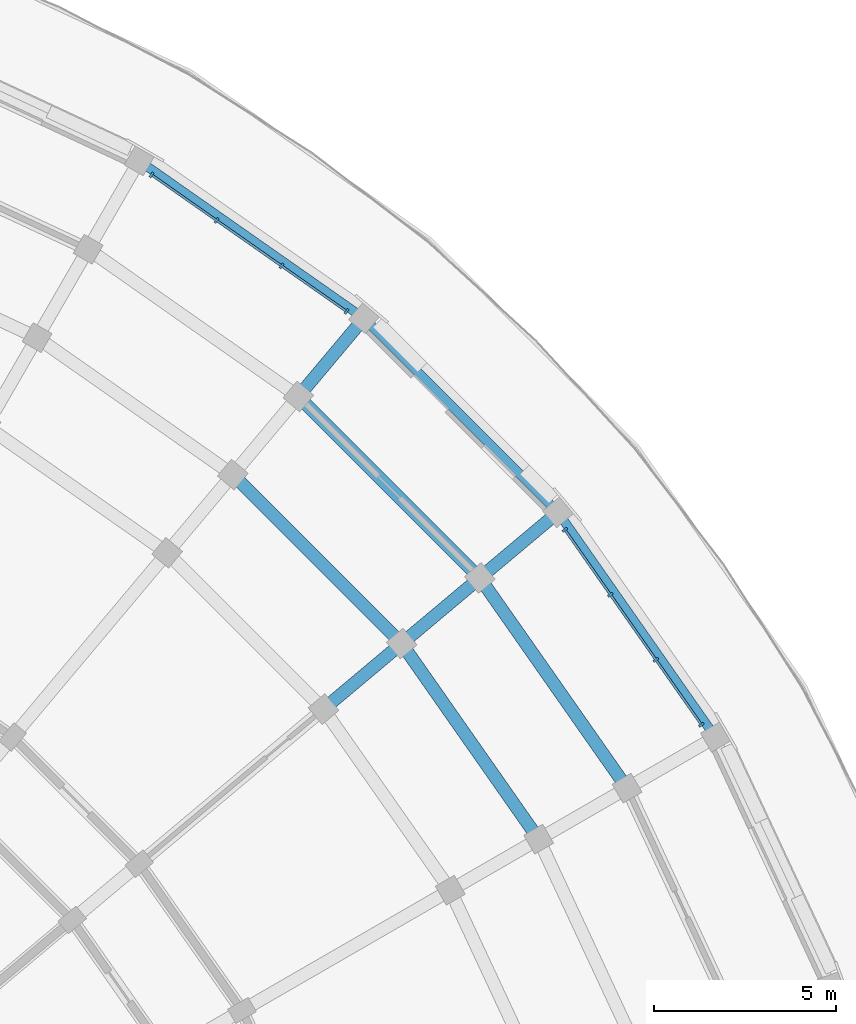
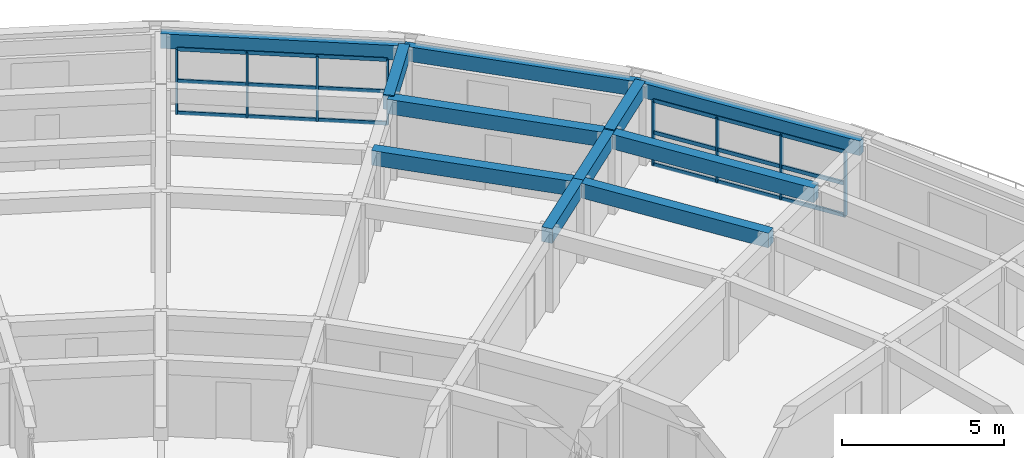
# One storey, part 11 of 53: 14 members, 11 beams, 2 elements without a shape of their own.
"""IFC4 building model written with IfcOpenShell, lengths in metres."""

from ifc_helpers import new_model, si_unit, direction, frame, origin, origin_2d, place, context, subcontext, project, spatial, rectangle, extrude, material, material_profile, profile_set, type_object, element, aggregate, save


model = new_model("IFC4")

# Units and contexts
model_context = context("Model", 3, precision=1e-05, world=origin(), true_north=direction((0.0, 1.0)))
body_context = subcontext(model_context, "Body", "Model", "MODEL_VIEW")
ifc_project = project(units=[si_unit("LENGTHUNIT", "METRE"), si_unit("AREAUNIT", "SQUARE_METRE"), si_unit("VOLUMEUNIT", "CUBIC_METRE"), si_unit("PLANEANGLEUNIT", "RADIAN"), si_unit("MASSUNIT", "GRAM", prefix="KILO")], contexts=[model_context])

# Site, building, storey
site_placement = place(None, origin())
site = spatial("IfcSite", under=ifc_project, at=site_placement, CompositionType="ELEMENT")
building_placement = place(site_placement, origin())
building = spatial("IfcBuilding", under=site, at=building_placement, Name="Kiranvali Square Residences", CompositionType="ELEMENT")
storey_placement = place(building_placement, frame((0.0, 0.0, 30.75)))
storey = spatial("IfcBuildingStorey", under=building, at=storey_placement, Name="L09", CompositionType="ELEMENT", Elevation=30.75)

# Beams
ifc_material_1 = material(Name="Concrete M40 (40 MPa)", Category="concrete")
ifc_material_profile_1 = material_profile(ifc_material_1, rectangle(XDim=0.35009765625, YDim=0.550048828125, at=origin_2d()), Name="RC 350x550")
ifc_profile_set_1 = profile_set([ifc_material_profile_1], Name="Concrete M40 (40 MPa)")
beam_type_1 = type_object("IfcBeamType", Name="BM-M40-350x550", PredefinedType="BEAM", material=ifc_profile_set_1)
beam_1_placement = place(storey_placement, frame((143.96875, 116.603271484375, 2.655029296875), z_axis=(0.707106781187, -0.707106781187, 0.0), x_axis=(0.707106781187, 0.707106781187, 0.0)))
element("IfcBeam", 1, at=beam_1_placement, inside=storey, type_object=beam_type_1, Name="L09 beam BM-B-L09-C04-R4", PredefinedType="BEAM", context=body_context, shape_type="SweptSolid", body=[
    extrude(rectangle(XDim=0.35009765625, YDim=0.550048828125, at=origin_2d()), origin(), (0.0, 0.0, 1.0), 6.55419921875),
])
beam_2_placement = place(storey_placement, frame((145.7685546875, 118.748291015625, 2.655029296875), z_axis=(0.707106781187, -0.707106781187, 0.0), x_axis=(0.707106781187, 0.707106781187, 0.0)))
element("IfcBeam", 2, at=beam_2_placement, inside=storey, type_object=beam_type_1, Name="L09 beam BM-B-L09-C04-R5", PredefinedType="BEAM", context=body_context, shape_type="SweptSolid", body=[
    extrude(rectangle(XDim=0.35009765625, YDim=0.550048828125, at=origin_2d()), origin(), (0.0, 0.0, 1.0), 7.04248046875),
])
beam_3_placement = place(storey_placement, frame((148.603271484375, 111.96875, 2.655029296875), z_axis=(0.573587340268, -0.819144409176, 0.0), x_axis=(0.819144409176, 0.573587340268, 0.0)))
element("IfcBeam", 3, at=beam_3_placement, inside=storey, type_object=beam_type_1, Name="L09 beam BM-B-L09-C05-R4", PredefinedType="BEAM", context=body_context, shape_type="SweptSolid", body=[
    extrude(rectangle(XDim=0.35009765625, YDim=0.550048828125, at=origin_2d()), origin(), (0.0, 0.0, 1.0), 6.553955078125),
])
beam_4_placement = place(storey_placement, frame((150.748291015625, 113.7685546875, 2.655029296875), z_axis=(0.57356471828, -0.819160249246, 0.0), x_axis=(0.819160249246, 0.57356471828, 0.0)))
element("IfcBeam", 4, at=beam_4_placement, inside=storey, type_object=beam_type_1, Name="L09 beam BM-B-L09-C05-R5", PredefinedType="BEAM", context=body_context, shape_type="SweptSolid", body=[
    extrude(rectangle(XDim=0.35009765625, YDim=0.550048828125, at=origin_2d()), origin(), (0.0, 0.0, 1.0), 7.0419921875),
])
beam_5_placement = place(storey_placement, frame((145.7685546875, 118.748291015625, 2.695068359375), z_axis=(0.642813692253, 0.76602255649, 0.0), x_axis=(-0.76602255649, 0.642813692253, 0.0)))
element("IfcBeam", 5, at=beam_5_placement, inside=storey, type_object=beam_type_1, Name="L09 beam BM-B-L09-RAD04-56", PredefinedType="BEAM", context=body_context, shape_type="SweptSolid", body=[
    extrude(rectangle(XDim=0.35009765625, YDim=0.550048828125, at=origin_2d()), origin(), (0.0, 0.0, 1.0), 2.7998046875),
])
for number, where, z_axis, x_axis, name in (
    (6, (146.458251953125, 110.1689453125, 2.655029296875), (0.766058583359, 0.642770757628, 0.0), (-0.642770757628, 0.766058583359, 0.0), "L09 beam BM-B-L09-RAD05-34"),
    (7, (148.603271484375, 111.96875, 2.655029296875), (0.766058583359, 0.642770757628, 0.0), (-0.642770757628, 0.766058583359, 0.0), "L09 beam BM-B-L09-RAD05-45"),
):
    element("IfcBeam", number, at=place(storey_placement, frame(where, z_axis=z_axis, x_axis=x_axis)), inside=storey, type_object=beam_type_1, Name=name, PredefinedType="BEAM", context=body_context, shape_type="SweptSolid", body=[
        extrude(rectangle(XDim=0.35009765625, YDim=0.550048828125, at=origin_2d()), origin(), (0.0, 0.0, 1.0), 2.800048828125),
    ])
beam_6_placement = place(storey_placement, frame((150.748291015625, 113.7685546875, 2.695068359375), z_axis=(0.76602255649, 0.642813692253, 0.0), x_axis=(-0.642813692253, 0.76602255649, 0.0)))
element("IfcBeam", 8, at=beam_6_placement, inside=storey, type_object=beam_type_1, Name="L09 beam BM-B-L09-RAD05-56", PredefinedType="BEAM", context=body_context, shape_type="SweptSolid", body=[
    extrude(rectangle(XDim=0.35009765625, YDim=0.550048828125, at=origin_2d()), origin(), (0.0, 0.0, 1.0), 2.7998046875),
])

# Curtain wall, members
ifc_material_2 = material(Name="Anodised bronze aluminium framing", Category="aluminium")
curtain_wall_type = type_object("IfcCurtainWallType", Name="CW-RES-LOG", PredefinedType="USERDEFINED", material=ifc_material_2)
curtain_wall_1_placement = place(storey_placement, origin())
curtain_wall_1 = element("IfcCurtainWall", 9, at=curtain_wall_1_placement, inside=storey, type_object=curtain_wall_type, Name="Block B L09 stepped curved terrace loggia 4", ObjectType="CURTAIN WALL", PredefinedType="USERDEFINED")
ifc_material_profile_2 = material_profile(ifc_material_2, rectangle(XDim=0.06494140625, YDim=0.159912109375, at=origin_2d()), Name="ALU 65x160")
ifc_profile_set_2 = profile_set([ifc_material_profile_2], Name="Anodised bronze aluminium framing")
member_type_1 = type_object("IfcMemberType", Name="CW-MUL-160", PredefinedType="MULLION", material=ifc_profile_set_2)
member_1_placement = place(storey_placement, frame((141.74072265625, 124.8271484375, 0.02001953125), z_axis=(0.0, 0.0, 1.0), x_axis=(0.819152044289, -0.573576436351, 0.0)))
member_1 = element("IfcMember", 10, at=member_1_placement, type_object=member_type_1, Name="CW-B-L09-TER-03 vertical mullion 1", PredefinedType="MULLION", context=body_context, shape_type="SweptSolid", body=[
    extrude(rectangle(XDim=0.06494140625, YDim=0.159912109375, at=origin_2d()), origin(), (0.0, 0.0, 1.0), 2.43994140625),
])
member_2_placement = place(storey_placement, frame((143.52392578125, 123.57861328125, 0.02001953125), z_axis=(0.0, 0.0, 1.0), x_axis=(0.819152044289, -0.573576436351, 0.0)))
member_2 = element("IfcMember", 11, at=member_2_placement, type_object=member_type_1, Name="CW-B-L09-TER-03 vertical mullion 2", PredefinedType="MULLION", context=body_context, shape_type="SweptSolid", body=[
    extrude(rectangle(XDim=0.06494140625, YDim=0.159912109375, at=origin_2d()), origin(), (0.0, 0.0, 1.0), 2.43994140625),
])
member_3_placement = place(storey_placement, frame((145.306884765625, 122.330078125, 0.02001953125), z_axis=(0.0, 0.0, 1.0), x_axis=(0.819152044289, -0.573576436351, 0.0)))
member_3 = element("IfcMember", 12, at=member_3_placement, type_object=member_type_1, Name="CW-B-L09-TER-03 vertical mullion 3", PredefinedType="MULLION", context=body_context, shape_type="SweptSolid", body=[
    extrude(rectangle(XDim=0.06494140625, YDim=0.159912109375, at=origin_2d()), origin(), (0.0, 0.0, 1.0), 2.43994140625),
])
member_4_placement = place(storey_placement, frame((147.090087890625, 121.08154296875, 0.02001953125), z_axis=(0.0, 0.0, 1.0), x_axis=(0.819152044289, -0.573576436351, 0.0)))
member_4 = element("IfcMember", 13, at=member_4_placement, type_object=member_type_1, Name="CW-B-L09-TER-03 vertical mullion 4", PredefinedType="MULLION", context=body_context, shape_type="SweptSolid", body=[
    extrude(rectangle(XDim=0.06494140625, YDim=0.159912109375, at=origin_2d()), origin(), (0.0, 0.0, 1.0), 2.43994140625),
])

curtain_wall_2_placement = place(storey_placement, origin())
curtain_wall_2 = element("IfcCurtainWall", 14, at=curtain_wall_2_placement, inside=storey, type_object=curtain_wall_type, Name="Block B L09 stepped curved terrace loggia 6", ObjectType="CURTAIN WALL", PredefinedType="USERDEFINED")
member_5_placement = place(storey_placement, frame((153.08154296875, 115.090087890625, 0.02001953125), z_axis=(0.0, 0.0, 1.0), x_axis=(0.573576436351, -0.819152044289, 0.0)))
member_5 = element("IfcMember", 15, at=member_5_placement, type_object=member_type_1, Name="CW-B-L09-TER-05 vertical mullion 1", PredefinedType="MULLION", context=body_context, shape_type="SweptSolid", body=[
    extrude(rectangle(XDim=0.06494140625, YDim=0.159912109375, at=origin_2d()), origin(), (0.0, 0.0, 1.0), 2.43994140625),
])
member_6_placement = place(storey_placement, frame((154.330078125, 113.306884765625, 0.02001953125), z_axis=(0.0, 0.0, 1.0), x_axis=(0.573576436351, -0.819152044289, 0.0)))
member_6 = element("IfcMember", 16, at=member_6_placement, type_object=member_type_1, Name="CW-B-L09-TER-05 vertical mullion 2", PredefinedType="MULLION", context=body_context, shape_type="SweptSolid", body=[
    extrude(rectangle(XDim=0.06494140625, YDim=0.159912109375, at=origin_2d()), origin(), (0.0, 0.0, 1.0), 2.43994140625),
])
member_7_placement = place(storey_placement, frame((155.57861328125, 111.52392578125, 0.02001953125), z_axis=(0.0, 0.0, 1.0), x_axis=(0.573576436351, -0.819152044289, 0.0)))
member_7 = element("IfcMember", 17, at=member_7_placement, type_object=member_type_1, Name="CW-B-L09-TER-05 vertical mullion 3", PredefinedType="MULLION", context=body_context, shape_type="SweptSolid", body=[
    extrude(rectangle(XDim=0.06494140625, YDim=0.159912109375, at=origin_2d()), origin(), (0.0, 0.0, 1.0), 2.43994140625),
])
member_8_placement = place(storey_placement, frame((156.8271484375, 109.74072265625, 0.02001953125), z_axis=(0.0, 0.0, 1.0), x_axis=(0.573576436351, -0.819152044289, 0.0)))
member_8 = element("IfcMember", 18, at=member_8_placement, type_object=member_type_1, Name="CW-B-L09-TER-05 vertical mullion 4", PredefinedType="MULLION", context=body_context, shape_type="SweptSolid", body=[
    extrude(rectangle(XDim=0.06494140625, YDim=0.159912109375, at=origin_2d()), origin(), (0.0, 0.0, 1.0), 2.43994140625),
])

# Member
ifc_material_profile_3 = material_profile(ifc_material_2, rectangle(XDim=0.06494140625, YDim=0.139892578125, at=origin_2d()), Name="ALU 65x140")
ifc_profile_set_3 = profile_set([ifc_material_profile_3], Name="Anodised bronze aluminium framing")
member_type_2 = type_object("IfcMemberType", Name="CW-TRN-140", PredefinedType="MULLION", material=ifc_profile_set_3)
member_9_placement = place(storey_placement, frame((141.7490234375, 124.821533203125, 0.0400390625), z_axis=(0.819145582246, -0.573585664994, 0.0), x_axis=(0.573585664994, 0.819145582246, 0.0)))
member_9 = element("IfcMember", 19, at=member_9_placement, type_object=member_type_2, Name="CW-B-L09-TER-03 horizontal transom 1", PredefinedType="MULLION", context=body_context, shape_type="SweptSolid", body=[
    extrude(rectangle(XDim=0.06494140625, YDim=0.139892578125, at=origin_2d()), origin(), (0.0, 0.0, 1.0), 6.51025390625),
])

member_10_placement = place(storey_placement, frame((141.7490234375, 124.821533203125, 1.239990234375), z_axis=(0.819145582246, -0.573585664994, 0.0), x_axis=(0.573585664994, 0.819145582246, 0.0)))
member_10 = element("IfcMember", 20, at=member_10_placement, type_object=member_type_2, Name="CW-B-L09-TER-03 horizontal transom 2", PredefinedType="MULLION", context=body_context, shape_type="SweptSolid", body=[
    extrude(rectangle(XDim=0.06494140625, YDim=0.139892578125, at=origin_2d()), origin(), (0.0, 0.0, 1.0), 6.51025390625),
])

member_11_placement = place(storey_placement, frame((141.7490234375, 124.821533203125, 2.43994140625), z_axis=(0.819145582246, -0.573585664994, 0.0), x_axis=(0.573585664994, 0.819145582246, 0.0)))
member_11 = element("IfcMember", 21, at=member_11_placement, type_object=member_type_2, Name="CW-B-L09-TER-03 horizontal transom 3", PredefinedType="MULLION", context=body_context, shape_type="SweptSolid", body=[
    extrude(rectangle(XDim=0.06494140625, YDim=0.139892578125, at=origin_2d()), origin(), (0.0, 0.0, 1.0), 6.51025390625),
])

aggregate(curtain_wall_1, [member_1, member_2, member_3, member_4, member_9, member_10, member_11])

member_12_placement = place(storey_placement, frame((153.08740234375, 115.081787109375, 0.0400390625), z_axis=(0.573585664994, -0.819145582246, 0.0), x_axis=(0.819145582246, 0.573585664994, 0.0)))
member_12 = element("IfcMember", 22, at=member_12_placement, type_object=member_type_2, Name="CW-B-L09-TER-05 horizontal transom 1", PredefinedType="MULLION", context=body_context, shape_type="SweptSolid", body=[
    extrude(rectangle(XDim=0.06494140625, YDim=0.139892578125, at=origin_2d()), origin(), (0.0, 0.0, 1.0), 6.51025390625),
])

member_13_placement = place(storey_placement, frame((153.08740234375, 115.081787109375, 1.239990234375), z_axis=(0.573585664994, -0.819145582246, 0.0), x_axis=(0.819145582246, 0.573585664994, 0.0)))
member_13 = element("IfcMember", 23, at=member_13_placement, type_object=member_type_2, Name="CW-B-L09-TER-05 horizontal transom 2", PredefinedType="MULLION", context=body_context, shape_type="SweptSolid", body=[
    extrude(rectangle(XDim=0.06494140625, YDim=0.139892578125, at=origin_2d()), origin(), (0.0, 0.0, 1.0), 6.51025390625),
])

member_14_placement = place(storey_placement, frame((153.08740234375, 115.081787109375, 2.43994140625), z_axis=(0.573585664994, -0.819145582246, 0.0), x_axis=(0.819145582246, 0.573585664994, 0.0)))
member_14 = element("IfcMember", 24, at=member_14_placement, type_object=member_type_2, Name="CW-B-L09-TER-05 horizontal transom 3", PredefinedType="MULLION", context=body_context, shape_type="SweptSolid", body=[
    extrude(rectangle(XDim=0.06494140625, YDim=0.139892578125, at=origin_2d()), origin(), (0.0, 0.0, 1.0), 6.51025390625),
])

aggregate(curtain_wall_2, [member_5, member_6, member_7, member_8, member_12, member_13, member_14])

# Beams
ifc_material_profile_4 = material_profile(ifc_material_1, rectangle(XDim=0.25, YDim=0.550048828125, at=origin_2d()), Name="RC 250x550")
ifc_profile_set_4 = profile_set([ifc_material_profile_4], Name="Concrete M40 (40 MPa)")
beam_type_2 = type_object("IfcBeamType", Name="SPN-M40-250x550", PredefinedType="SPANDREL", material=ifc_profile_set_4)
for number, where, z_axis, x_axis, name in (
    (25, (141.39990234375, 125.21240234375, 2.695068359375), (0.819143569597, -0.573588539275, 0.0), (0.573588539275, 0.819143569597, 0.0), "L09 beam BM-B-L09-C03-R6"),
    (26, (147.568359375, 120.89306640625, 2.695068359375), (0.707106781187, -0.707106781187, 0.0), (0.707106781187, 0.707106781187, 0.0), "L09 beam BM-B-L09-C04-R6"),
    (27, (152.89306640625, 115.568359375, 2.695068359375), (0.573588539275, -0.819143569597, 0.0), (0.819143569597, 0.573588539275, 0.0), "L09 beam BM-B-L09-C05-R6"),
):
    element("IfcBeam", number, at=place(storey_placement, frame(where, z_axis=z_axis, x_axis=x_axis)), inside=storey, type_object=beam_type_2, Name=name, PredefinedType="SPANDREL", context=body_context, shape_type="SweptSolid", body=[
        extrude(rectangle(XDim=0.25, YDim=0.550048828125, at=origin_2d()), origin(), (0.0, 0.0, 1.0), 7.5302734375),
    ])

save(model, "model.ifc")
